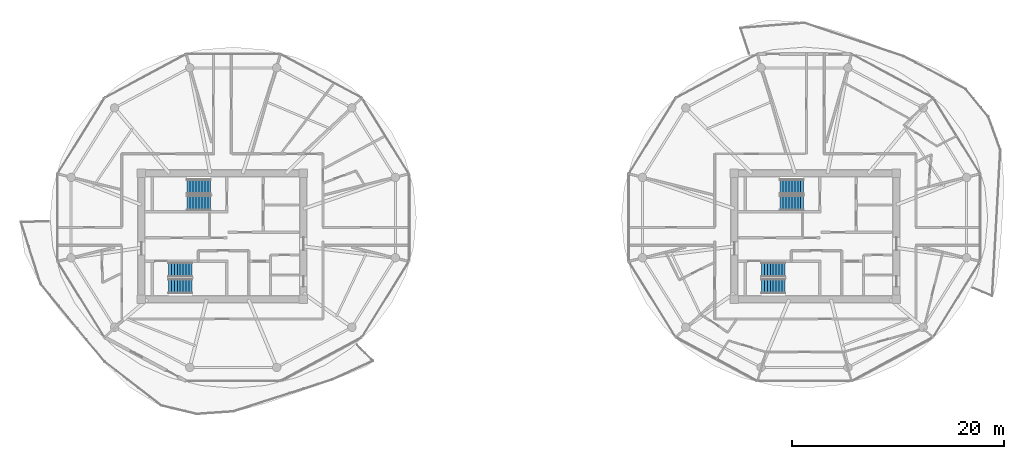
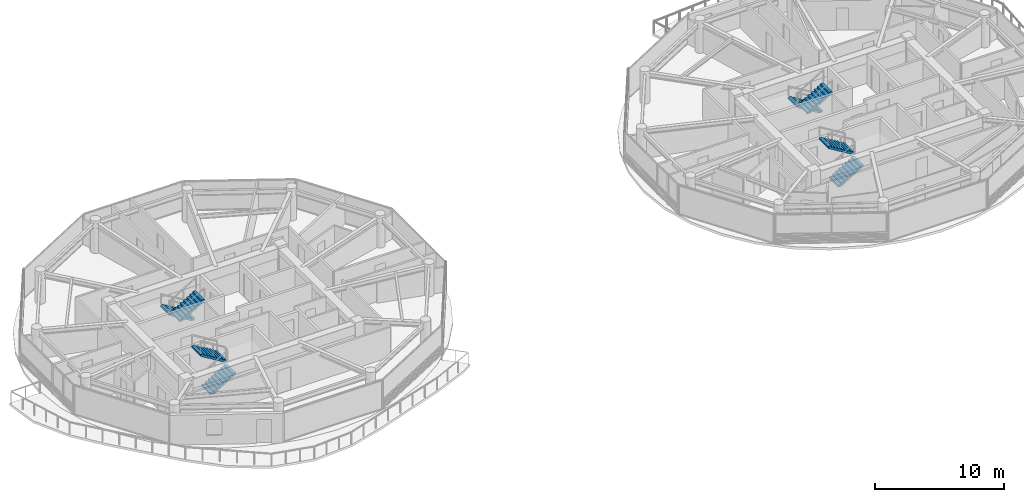
# One storey, part 18 of 22: 8 stair flights, 4 elements without a shape of their own.
"""IFC4 building model written with IfcOpenShell, lengths in metres."""

import ifcopenshell
import ifcopenshell.guid

model = None  # the IFC model being written
_history = None  # IfcOwnerHistory: only IFC2X3 demands one
_inside = {}  # id of a spatial element -> (the spatial element, [elements in it])
_under = {}  # id of a project, library or spatial element -> (it, [spatial elements below it])
_declared = {}  # id of a project -> (the project, [libraries it declares])
_typed = {}  # id of a type object -> (the type object, [elements of that type])
_made_of = {}  # id of a material, layer set ... -> (it, [elements and type objects made of it])


def new_model(schema):
    """Start an empty IFC model of exactly this schema.

    Asked for "IFC4X3", IfcOpenShell would pick the latest addendum, in which some entities
    have other attributes; the version numbers below select the first issue.
    IFC2X3 requires an IfcOwnerHistory on every rooted entity: one is made here for all.
    """
    global model, _history
    if schema == "IFC4X3":
        model = ifcopenshell.file(schema_version=(4, 3, 0, 0))
    else:
        model = ifcopenshell.file(schema=schema)
    _inside.clear()
    _under.clear()
    _declared.clear()
    _typed.clear()
    _made_of.clear()
    _history = None
    if model.schema == "IFC2X3":
        org = make("IfcOrganization", Name="unknown")
        user = make(
            "IfcPersonAndOrganization",
            ThePerson=make("IfcPerson", FamilyName="unknown"),
            TheOrganization=org,
        )
        app = make(
            "IfcApplication",
            ApplicationDeveloper=org,
            Version="unknown",
            ApplicationFullName="unknown",
            ApplicationIdentifier="unknown",
        )
        _history = make(
            "IfcOwnerHistory",
            OwningUser=user,
            OwningApplication=app,
            ChangeAction="ADDED",
            CreationDate=0,
        )
    return model


def make(cls, **values):
    """One entity of the class cls with the attributes given. An attribute that is None is left unset."""
    return model.create_entity(
        cls, **{name: value for name, value in values.items() if value is not None}
    )


def rooted(cls, **values):
    """An entity with a GlobalId (a new one), such as an element, a storey or a relation."""
    return make(cls, GlobalId=ifcopenshell.guid.new(), OwnerHistory=_history, **values)


def si_unit(unit_type, name, prefix=None):
    """IfcSIUnit, for example si_unit("LENGTHUNIT", "METRE", prefix="MILLI")."""
    return make("IfcSIUnit", UnitType=unit_type, Prefix=prefix, Name=name)


def assignment(units):
    """IfcUnitAssignment: the units of a project."""
    return None if units is None else make("IfcUnitAssignment", Units=units)


def point(xyz):
    """IfcCartesianPoint."""
    return None if xyz is None else make("IfcCartesianPoint", Coordinates=xyz)


def direction(xyz):
    """IfcDirection."""
    return None if xyz is None else make("IfcDirection", DirectionRatios=xyz)


def frame(location, z_axis=None, x_axis=None):
    """IfcAxis2Placement3D, a coordinate frame: its origin and axes. An axis left out is left unset."""
    return make(
        "IfcAxis2Placement3D",
        Location=point(location),
        Axis=direction(z_axis),
        RefDirection=direction(x_axis),
    )


def origin():
    """The frame at (0, 0, 0) with its axes left unset."""
    return frame((0.0, 0.0, 0.0))


def place(relative_to, where):
    """IfcLocalPlacement: puts the frame where relative to a parent placement (None: the world)."""
    return make(
        "IfcLocalPlacement", PlacementRelTo=relative_to, RelativePlacement=where
    )


def context(
    kind, dimensions, precision=None, world=None, true_north=None, identifier=None
):
    """IfcGeometricRepresentationContext, for example the 3D "Model" context."""
    return make(
        "IfcGeometricRepresentationContext",
        ContextIdentifier=identifier,
        ContextType=kind,
        CoordinateSpaceDimension=dimensions,
        Precision=precision,
        WorldCoordinateSystem=world,
        TrueNorth=true_north,
    )


def subcontext(parent, identifier, kind, view, scale=None):
    """IfcGeometricRepresentationSubContext, for example "Body" below "Model"."""
    return make(
        "IfcGeometricRepresentationSubContext",
        ContextIdentifier=identifier,
        ContextType=kind,
        ParentContext=parent,
        TargetScale=scale,
        TargetView=view,
    )


def project(units=None, contexts=None):
    """IfcProject with its units and contexts."""
    return rooted(
        "IfcProject",
        Name="project",
        RepresentationContexts=contexts,
        UnitsInContext=assignment(units),
    )


def spatial(cls, under=None, at=None, **own):
    """A site, building, storey or space (cls), placed at a placement, below another one or the project."""
    s = rooted(cls, ObjectPlacement=at, **own)
    if under is not None:
        _under.setdefault(under.id(), (under, []))[1].append(s)
    return s


def polyline(points):
    """IfcPolyline through the points."""
    return make("IfcPolyline", Points=[point(p) for p in points])


def outline(outer, holes=None, kind="AREA"):
    """IfcArbitraryClosedProfileDef: a profile drawn as a closed curve; with holes, ...WithVoids."""
    if holes is None:
        return make("IfcArbitraryClosedProfileDef", ProfileType=kind, OuterCurve=outer)
    return make(
        "IfcArbitraryProfileDefWithVoids",
        ProfileType=kind,
        OuterCurve=outer,
        InnerCurves=holes,
    )


def extrude(swept, where, along, depth):
    """IfcExtrudedAreaSolid: the profile swept, set in the frame where, extruded along a direction by depth."""
    return make(
        "IfcExtrudedAreaSolid",
        SweptArea=swept,
        Position=where,
        ExtrudedDirection=direction(along),
        Depth=depth,
    )


def shape(context_of_items, identifier, shape_type, items):
    """IfcShapeRepresentation: the items that make up one representation, for example the "Body"."""
    return make(
        "IfcShapeRepresentation",
        ContextOfItems=context_of_items,
        RepresentationIdentifier=identifier,
        RepresentationType=shape_type,
        Items=items,
    )


def material(Name=None, Category=None):
    """IfcMaterial."""
    return make("IfcMaterial", Name=Name, Category=Category)


def made_of(thing, what):
    """Note that an element or type object is made of a material, layer set ...; save() writes the relation."""
    if what is not None:
        _made_of.setdefault(what.id(), (what, []))[1].append(thing)
    return thing


def type_object(cls, material=None, **own):
    """A type object (cls), such as IfcWallType, which elements share."""
    return made_of(rooted(cls, **own), material)


def element(
    cls,
    number,
    at=None,
    inside=None,
    cuts=None,
    type_object=None,
    material=None,
    context=None,
    identifier="Body",
    shape_type=None,
    held_by="IfcProductDefinitionShape",
    body=None,
    shapes=None,
    **own,
):
    """One element of the class cls, such as IfcWall. Its Tag is "e" and its number.

    at: its placement. inside: the storey or other place that contains it. cuts: it is an
    opening in that element (IfcRelVoidsElement). A single representation is given by context,
    identifier, shape_type and body (its items); several are given by shapes. held_by: the class
    of the entity that holds the representations. save() writes the other relations.
    """
    e = rooted(cls, Tag="e%d" % number, ObjectPlacement=at, **own)
    if body is not None:
        shapes = [shape(context, identifier, shape_type, body)]
    if shapes is not None:
        e.Representation = make(held_by, Representations=shapes)
    if inside is not None:
        _inside.setdefault(inside.id(), (inside, []))[1].append(e)
    if cuts is not None:
        rooted(
            "IfcRelVoidsElement", RelatingBuildingElement=cuts, RelatedOpeningElement=e
        )
    if type_object is not None:
        _typed.setdefault(type_object.id(), (type_object, []))[1].append(e)
    return made_of(e, material)


def aggregate(whole, parts):
    """IfcRelAggregates: a whole, such as a stair, and the parts it consists of."""
    return rooted("IfcRelAggregates", RelatingObject=whole, RelatedObjects=parts)


def save(model, path):
    """Write the relations noted so far, then the file.

    IfcRelAggregates (storeys below a building ...), IfcRelContainedInSpatialStructure (elements
    in a storey), IfcRelDefinesByType, IfcRelAssociatesMaterial and IfcRelDeclares: one each for
    every whole, place, type object, material and project.
    """
    for whole, parts in _under.values():
        aggregate(whole, parts)
    for where, things in _inside.values():
        rooted(
            "IfcRelContainedInSpatialStructure",
            RelatedElements=things,
            RelatingStructure=where,
        )
    for kind, things in _typed.values():
        rooted("IfcRelDefinesByType", RelatedObjects=things, RelatingType=kind)
    for what, things in _made_of.values():
        rooted("IfcRelAssociatesMaterial", RelatedObjects=things, RelatingMaterial=what)
    for by, libraries in _declared.values():
        rooted("IfcRelDeclares", RelatingContext=by, RelatedDefinitions=libraries)
    model.write(path)


model = new_model("IFC4")

# Units and contexts
model_context = context("Model", 3, precision=1e-05, world=origin(), true_north=direction((0.0, 1.0)))
body_context = subcontext(model_context, "Body", "Model", "MODEL_VIEW")
ifc_project = project(units=[si_unit("LENGTHUNIT", "METRE"), si_unit("AREAUNIT", "SQUARE_METRE"), si_unit("VOLUMEUNIT", "CUBIC_METRE"), si_unit("PLANEANGLEUNIT", "RADIAN"), si_unit("MASSUNIT", "GRAM", prefix="KILO")], contexts=[model_context])

# Site, building, storey
site_placement = place(None, origin())
site = spatial("IfcSite", under=ifc_project, at=site_placement, CompositionType="ELEMENT")
building_placement = place(site_placement, origin())
building = spatial("IfcBuilding", under=site, at=building_placement, Name="Norrkilde Senior Care Towers", CompositionType="ELEMENT")
storey_placement = place(building_placement, frame((0.0, 0.0, 170.89990234375)))
storey = spatial("IfcBuildingStorey", under=building, at=storey_placement, Name="L53", CompositionType="ELEMENT", Elevation=170.89990234375)

# Stair, stair flights
ifc_material = material(Name="Concrete C45/55", Category="concrete")
stair_type = type_object("IfcStairType", Name="Core Protected Dogleg Stair Typical 3050", PredefinedType="HALF_TURN_STAIR", material=ifc_material)
stair_1_placement = place(storey_placement, origin())
stair_1 = element("IfcStair", 1, at=stair_1_placement, inside=storey, type_object=stair_type, Name="L53 Protected Core Stair W1", PredefinedType="HALF_TURN_STAIR")
stair_flight_type = type_object("IfcStairFlightType", Name="Core Protected Dogleg Stair Typical 3050 Flight", PredefinedType="STRAIGHT", material=ifc_material)
stair_flight_1_placement = place(storey_placement, frame((-29.10009765625, 4.699951171875, 0.0), z_axis=(0.0, 0.0, 1.0), x_axis=(-1.0, 0.0, 0.0)))
stair_flight_1 = element("IfcStairFlight", 2, at=stair_flight_1_placement, type_object=stair_flight_type, Name="ST-W1 flight 1", NumberOfRisers=9, NumberOfTreads=8, PredefinedType="STRAIGHT", RiserHeight=0.169444444, TreadLength=0.28, context=body_context, shape_type="SweptSolid", body=[
    extrude(outline(polyline([(0.0, 0.0), (0.0, 0.16943359375), (0.280029296875, 0.16943359375), (0.280029296875, 0.3388671875), (0.56005859375, 0.3388671875), (0.56005859375, 0.50830078125), (0.840087890625, 0.50830078125), (0.840087890625, 0.677734375), (1.1201171875, 0.677734375), (1.1201171875, 0.84716796875), (1.39990234375, 0.84716796875), (1.39990234375, 1.0166015625), (1.679931640625, 1.0166015625), (1.679931640625, 1.18603515625), (1.9599609375, 1.18603515625), (1.9599609375, 1.35546875), (2.239990234375, 1.35546875), (2.239990234375, 1.52490234375), (2.239990234375, 1.180419921875), (0.28955078125, 0.0), (0.0, 0.0)])), frame((0.0, 0.699951171875, 0.0), z_axis=(0.0, -1.0, 0.0), x_axis=(1.0, 0.0, 0.0)), (0.0, 0.0, 1.0), 1.39990234375),
])
stair_flight_2_placement = place(storey_placement, frame((-31.340087890625, 3.14990234375, 1.525146484375), z_axis=(0.0, 0.0, 1.0), x_axis=(1.0, 0.0, 0.0)))
stair_flight_2 = element("IfcStairFlight", 3, at=stair_flight_2_placement, type_object=stair_flight_type, Name="ST-W1 flight 2", NumberOfRisers=9, NumberOfTreads=8, PredefinedType="STRAIGHT", RiserHeight=0.169444444, TreadLength=0.28, context=body_context, shape_type="SweptSolid", body=[
    extrude(outline(polyline([(0.0, 0.0), (0.0, 0.16943359375), (0.280029296875, 0.16943359375), (0.280029296875, 0.3388671875), (0.56005859375, 0.3388671875), (0.56005859375, 0.50830078125), (0.840087890625, 0.50830078125), (0.840087890625, 0.677734375), (1.1201171875, 0.677734375), (1.1201171875, 0.84716796875), (1.39990234375, 0.84716796875), (1.39990234375, 1.0166015625), (1.679931640625, 1.0166015625), (1.679931640625, 1.18603515625), (1.9599609375, 1.18603515625), (1.9599609375, 1.35546875), (2.239990234375, 1.35546875), (2.239990234375, 1.52490234375), (2.239990234375, 1.180419921875), (0.28955078125, 0.0), (0.0, 0.0)])), frame((0.0, 0.699951171875, 0.0), z_axis=(0.0, -1.0, 0.0), x_axis=(1.0, 0.0, 0.0)), (0.0, 0.0, 1.0), 1.39990234375),
])
aggregate(stair_1, [stair_flight_1, stair_flight_2])

stair_2_placement = place(storey_placement, origin())
stair_2 = element("IfcStair", 4, at=stair_2_placement, inside=storey, type_object=stair_type, Name="L53 Protected Core Stair W2", PredefinedType="HALF_TURN_STAIR")
stair_flight_3_placement = place(storey_placement, frame((-33.10009765625, -4.699951171875, 0.0), z_axis=(0.0, 0.0, 1.0), x_axis=(1.0, 0.0, 0.0)))
stair_flight_3 = element("IfcStairFlight", 5, at=stair_flight_3_placement, type_object=stair_flight_type, Name="ST-W2 flight 1", NumberOfRisers=9, NumberOfTreads=8, PredefinedType="STRAIGHT", RiserHeight=0.169444444, TreadLength=0.28, context=body_context, shape_type="SweptSolid", body=[
    extrude(outline(polyline([(0.0, 0.0), (0.0, 0.16943359375), (0.280029296875, 0.16943359375), (0.280029296875, 0.3388671875), (0.56005859375, 0.3388671875), (0.56005859375, 0.50830078125), (0.840087890625, 0.50830078125), (0.840087890625, 0.677734375), (1.1201171875, 0.677734375), (1.1201171875, 0.84716796875), (1.39990234375, 0.84716796875), (1.39990234375, 1.0166015625), (1.679931640625, 1.0166015625), (1.679931640625, 1.18603515625), (1.9599609375, 1.18603515625), (1.9599609375, 1.35546875), (2.239990234375, 1.35546875), (2.239990234375, 1.52490234375), (2.239990234375, 1.180419921875), (0.28955078125, 0.0), (0.0, 0.0)])), frame((0.0, 0.699951171875, 0.0), z_axis=(0.0, -1.0, 0.0), x_axis=(1.0, 0.0, 0.0)), (0.0, 0.0, 1.0), 1.39990234375),
])
stair_flight_4_placement = place(storey_placement, frame((-30.860107421875, -3.14990234375, 1.525146484375), z_axis=(0.0, 0.0, 1.0), x_axis=(-1.0, 0.0, 0.0)))
stair_flight_4 = element("IfcStairFlight", 6, at=stair_flight_4_placement, type_object=stair_flight_type, Name="ST-W2 flight 2", NumberOfRisers=9, NumberOfTreads=8, PredefinedType="STRAIGHT", RiserHeight=0.169444444, TreadLength=0.28, context=body_context, shape_type="SweptSolid", body=[
    extrude(outline(polyline([(0.0, 0.0), (0.0, 0.16943359375), (0.280029296875, 0.16943359375), (0.280029296875, 0.3388671875), (0.56005859375, 0.3388671875), (0.56005859375, 0.50830078125), (0.840087890625, 0.50830078125), (0.840087890625, 0.677734375), (1.1201171875, 0.677734375), (1.1201171875, 0.84716796875), (1.39990234375, 0.84716796875), (1.39990234375, 1.0166015625), (1.679931640625, 1.0166015625), (1.679931640625, 1.18603515625), (1.9599609375, 1.18603515625), (1.9599609375, 1.35546875), (2.239990234375, 1.35546875), (2.239990234375, 1.52490234375), (2.239990234375, 1.180419921875), (0.28955078125, 0.0), (0.0, 0.0)])), frame((0.0, 0.699951171875, 0.0), z_axis=(0.0, -1.0, 0.0), x_axis=(1.0, 0.0, 0.0)), (0.0, 0.0, 1.0), 1.39990234375),
])
aggregate(stair_2, [stair_flight_3, stair_flight_4])

stair_3_placement = place(storey_placement, origin())
stair_3 = element("IfcStair", 7, at=stair_3_placement, inside=storey, type_object=stair_type, Name="L53 Protected Core Stair E1", PredefinedType="HALF_TURN_STAIR")
stair_flight_5_placement = place(storey_placement, frame((26.89990234375, 4.699951171875, 0.0), z_axis=(0.0, 0.0, 1.0), x_axis=(-1.0, 0.0, 0.0)))
stair_flight_5 = element("IfcStairFlight", 8, at=stair_flight_5_placement, type_object=stair_flight_type, Name="ST-E1 flight 1", NumberOfRisers=9, NumberOfTreads=8, PredefinedType="STRAIGHT", RiserHeight=0.169444444, TreadLength=0.28, context=body_context, shape_type="SweptSolid", body=[
    extrude(outline(polyline([(0.0, 0.0), (0.0, 0.16943359375), (0.280029296875, 0.16943359375), (0.280029296875, 0.3388671875), (0.56005859375, 0.3388671875), (0.56005859375, 0.50830078125), (0.840087890625, 0.50830078125), (0.840087890625, 0.677734375), (1.1201171875, 0.677734375), (1.1201171875, 0.84716796875), (1.39990234375, 0.84716796875), (1.39990234375, 1.0166015625), (1.679931640625, 1.0166015625), (1.679931640625, 1.18603515625), (1.9599609375, 1.18603515625), (1.9599609375, 1.35546875), (2.239990234375, 1.35546875), (2.239990234375, 1.52490234375), (2.239990234375, 1.180419921875), (0.28955078125, 0.0), (0.0, 0.0)])), frame((0.0, 0.699951171875, 0.0), z_axis=(0.0, -1.0, 0.0), x_axis=(1.0, 0.0, 0.0)), (0.0, 0.0, 1.0), 1.39990234375),
])
stair_flight_6_placement = place(storey_placement, frame((24.659912109375, 3.14990234375, 1.525146484375), z_axis=(0.0, 0.0, 1.0), x_axis=(1.0, 0.0, 0.0)))
stair_flight_6 = element("IfcStairFlight", 9, at=stair_flight_6_placement, type_object=stair_flight_type, Name="ST-E1 flight 2", NumberOfRisers=9, NumberOfTreads=8, PredefinedType="STRAIGHT", RiserHeight=0.169444444, TreadLength=0.28, context=body_context, shape_type="SweptSolid", body=[
    extrude(outline(polyline([(0.0, 0.0), (0.0, 0.16943359375), (0.280029296875, 0.16943359375), (0.280029296875, 0.3388671875), (0.56005859375, 0.3388671875), (0.56005859375, 0.50830078125), (0.840087890625, 0.50830078125), (0.840087890625, 0.677734375), (1.1201171875, 0.677734375), (1.1201171875, 0.84716796875), (1.39990234375, 0.84716796875), (1.39990234375, 1.0166015625), (1.679931640625, 1.0166015625), (1.679931640625, 1.18603515625), (1.9599609375, 1.18603515625), (1.9599609375, 1.35546875), (2.239990234375, 1.35546875), (2.239990234375, 1.52490234375), (2.239990234375, 1.180419921875), (0.28955078125, 0.0), (0.0, 0.0)])), frame((0.0, 0.699951171875, 0.0), z_axis=(0.0, -1.0, 0.0), x_axis=(1.0, 0.0, 0.0)), (0.0, 0.0, 1.0), 1.39990234375),
])
aggregate(stair_3, [stair_flight_5, stair_flight_6])

stair_4_placement = place(storey_placement, origin())
stair_4 = element("IfcStair", 10, at=stair_4_placement, inside=storey, type_object=stair_type, Name="L53 Protected Core Stair E2", PredefinedType="HALF_TURN_STAIR")
stair_flight_7_placement = place(storey_placement, frame((22.89990234375, -4.699951171875, 0.0), z_axis=(0.0, 0.0, 1.0), x_axis=(1.0, 0.0, 0.0)))
stair_flight_7 = element("IfcStairFlight", 11, at=stair_flight_7_placement, type_object=stair_flight_type, Name="ST-E2 flight 1", NumberOfRisers=9, NumberOfTreads=8, PredefinedType="STRAIGHT", RiserHeight=0.169444444, TreadLength=0.28, context=body_context, shape_type="SweptSolid", body=[
    extrude(outline(polyline([(0.0, 0.0), (0.0, 0.16943359375), (0.280029296875, 0.16943359375), (0.280029296875, 0.3388671875), (0.56005859375, 0.3388671875), (0.56005859375, 0.50830078125), (0.840087890625, 0.50830078125), (0.840087890625, 0.677734375), (1.1201171875, 0.677734375), (1.1201171875, 0.84716796875), (1.39990234375, 0.84716796875), (1.39990234375, 1.0166015625), (1.679931640625, 1.0166015625), (1.679931640625, 1.18603515625), (1.9599609375, 1.18603515625), (1.9599609375, 1.35546875), (2.239990234375, 1.35546875), (2.239990234375, 1.52490234375), (2.239990234375, 1.180419921875), (0.28955078125, 0.0), (0.0, 0.0)])), frame((0.0, 0.699951171875, 0.0), z_axis=(0.0, -1.0, 0.0), x_axis=(1.0, 0.0, 0.0)), (0.0, 0.0, 1.0), 1.39990234375),
])
stair_flight_8_placement = place(storey_placement, frame((25.139892578125, -3.14990234375, 1.525146484375), z_axis=(0.0, 0.0, 1.0), x_axis=(-1.0, 0.0, 0.0)))
stair_flight_8 = element("IfcStairFlight", 12, at=stair_flight_8_placement, type_object=stair_flight_type, Name="ST-E2 flight 2", NumberOfRisers=9, NumberOfTreads=8, PredefinedType="STRAIGHT", RiserHeight=0.169444444, TreadLength=0.28, context=body_context, shape_type="SweptSolid", body=[
    extrude(outline(polyline([(0.0, 0.0), (0.0, 0.16943359375), (0.280029296875, 0.16943359375), (0.280029296875, 0.3388671875), (0.56005859375, 0.3388671875), (0.56005859375, 0.50830078125), (0.840087890625, 0.50830078125), (0.840087890625, 0.677734375), (1.1201171875, 0.677734375), (1.1201171875, 0.84716796875), (1.39990234375, 0.84716796875), (1.39990234375, 1.0166015625), (1.679931640625, 1.0166015625), (1.679931640625, 1.18603515625), (1.9599609375, 1.18603515625), (1.9599609375, 1.35546875), (2.239990234375, 1.35546875), (2.239990234375, 1.52490234375), (2.239990234375, 1.180419921875), (0.28955078125, 0.0), (0.0, 0.0)])), frame((0.0, 0.699951171875, 0.0), z_axis=(0.0, -1.0, 0.0), x_axis=(1.0, 0.0, 0.0)), (0.0, 0.0, 1.0), 1.39990234375),
])
aggregate(stair_4, [stair_flight_7, stair_flight_8])

save(model, "model.ifc")
